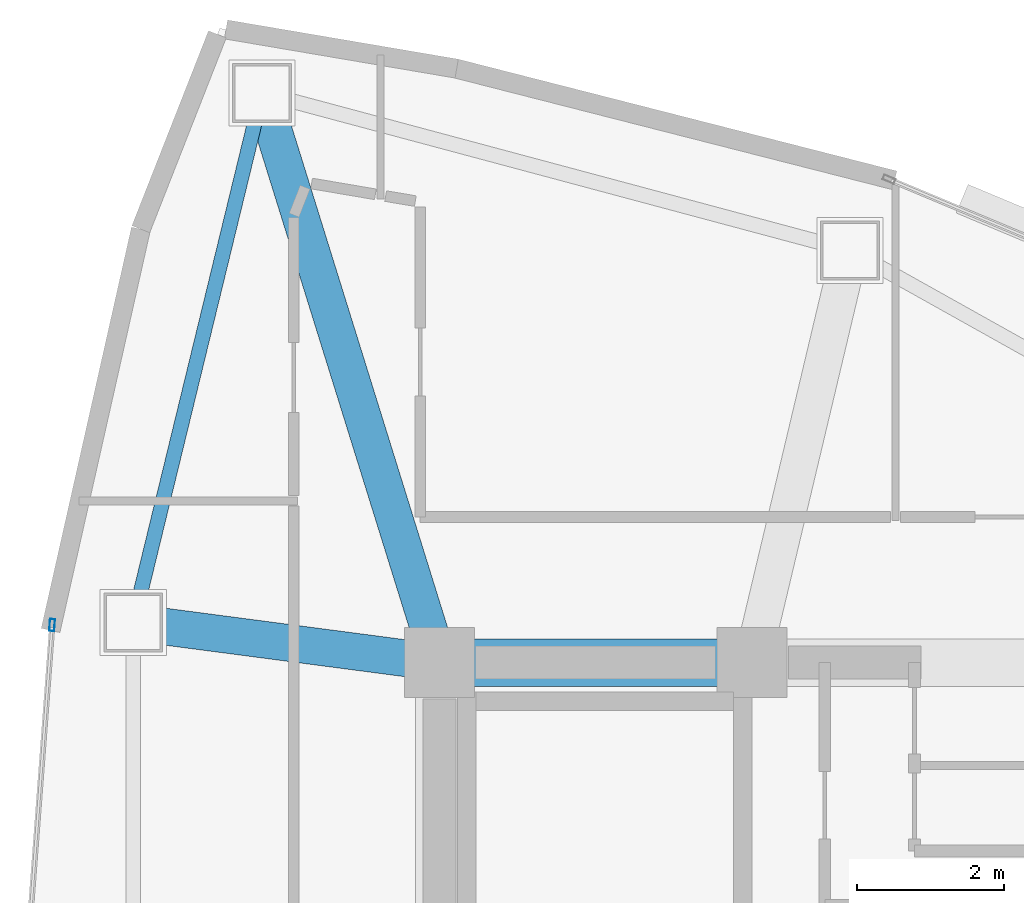
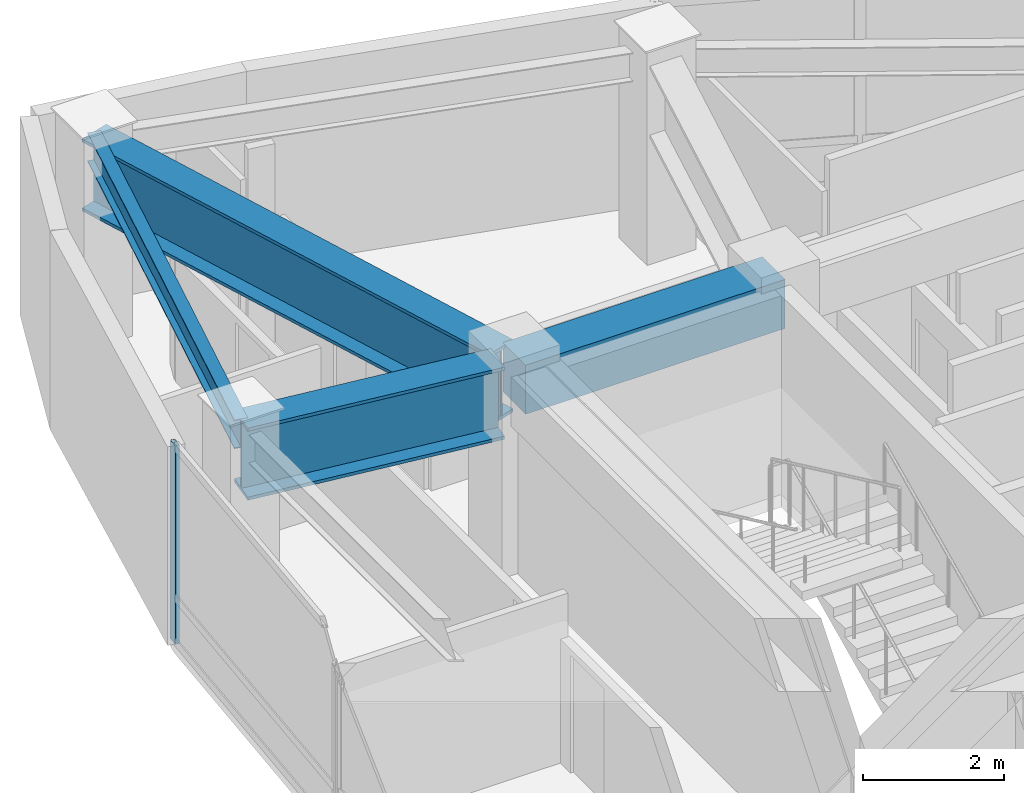
# One storey, part 7 of 15: 4 beams, 1 member, 1 element without a shape of its own.
"""IFC4 building model written with IfcOpenShell, lengths in metres."""

from ifc_helpers import new_model, si_unit, direction, frame, origin, origin_2d, place, context, subcontext, project, spatial, rectangle, hollow_rectangle, i_section, extrude, material, layer, layer_set, material_profile, profile_set, type_object, element, aggregate, save


model = new_model("IFC4")

# Units and contexts
model_context = context("Model", 3, precision=1e-05, world=origin(), true_north=direction((0.0, 1.0)))
body_context = subcontext(model_context, "Body", "Model", "MODEL_VIEW")
ifc_project = project(units=[si_unit("LENGTHUNIT", "METRE"), si_unit("AREAUNIT", "SQUARE_METRE"), si_unit("VOLUMEUNIT", "CUBIC_METRE"), si_unit("PLANEANGLEUNIT", "RADIAN"), si_unit("MASSUNIT", "GRAM", prefix="KILO")], contexts=[model_context])

# Site, building, storey
site_placement = place(None, origin())
site = spatial("IfcSite", under=ifc_project, at=site_placement, CompositionType="ELEMENT")
building_placement = place(site_placement, origin())
building = spatial("IfcBuilding", under=site, at=building_placement, Name="Menara Vayukalpa", CompositionType="ELEMENT")
storey_placement = place(building_placement, frame((0.0, 0.0, 295.5)))
storey = spatial("IfcBuildingStorey", under=building, at=storey_placement, Name="L75", CompositionType="ELEMENT", Elevation=295.5)

# Beams
ifc_material_1 = material(Name="Concrete C60/75", Category="concrete")
ifc_material_profile_1 = material_profile(ifc_material_1, rectangle(XDim=0.64990234375, YDim=0.85009765625, at=origin_2d()), Name="RC 650x850")
ifc_profile_set_1 = profile_set([ifc_material_profile_1], Name="Concrete C60/75")
beam_type_1 = type_object("IfcBeamType", Name="BM-CB1", PredefinedType="BEAM", material=ifc_profile_set_1)
beam_1_placement = place(storey_placement, frame((17.800048828125, 26.800048828125, 3.014892578125), z_axis=(1.0, 0.0, 0.0), x_axis=(0.0, 1.0, 0.0)))
element("IfcBeam", 1, at=beam_1_placement, inside=storey, type_object=beam_type_1, Name="L75 Core Tie Beam CBR4", PredefinedType="BEAM", context=body_context, shape_type="SweptSolid", body=[
    extrude(rectangle(XDim=0.64990234375, YDim=0.85009765625, at=origin_2d()), origin(), (0.0, 0.0, 1.0), 4.25),
])
ifc_material_2 = material(Name="Steel S355", Category="steel")
ifc_material_profile_2 = material_profile(ifc_material_2, i_section(OverallWidth=0.199951171875, OverallDepth=0.5, WebThickness=0.010009765625, FlangeThickness=0.01611328125, at=origin_2d()), Name="WF 500x200x10x16")
ifc_profile_set_2 = profile_set([ifc_material_profile_2], Name="Steel S355")
beam_type_2 = type_object("IfcBeamType", Name="BM-SP3", PredefinedType="SPANDREL", material=ifc_profile_set_2)
beam_2_placement = place(storey_placement, frame((15.38916015625, 34.544677734375, 3.18994140625), z_axis=(-0.236272525754, -0.97168682896, 0.0), x_axis=(0.97168682896, -0.236272525754, 0.0)))
element("IfcBeam", 2, at=beam_2_placement, inside=storey, type_object=beam_type_2, Name="L75 Perimeter Spandrel Beam SP04", PredefinedType="SPANDREL", context=body_context, shape_type="SweptSolid", body=[
    extrude(i_section(OverallWidth=0.199951171875, OverallDepth=0.5, WebThickness=0.010009765625, FlangeThickness=0.01611328125, at=origin_2d()), origin(), (0.0, 0.0, 1.0), 7.40771484375),
])
ifc_material_3 = material(Name="Steel S460", Category="steel")
ifc_material_profile_3 = material_profile(ifc_material_3, i_section(OverallWidth=0.5, OverallDepth=1.25, WebThickness=0.028076171875, FlangeThickness=0.054931640625, at=origin_2d()), Name="WG 1250x500x28x55")
ifc_profile_set_3 = profile_set([ifc_material_profile_3], Name="Steel S460")
beam_type_3 = type_object("IfcBeamType", Name="BM-TG2", PredefinedType="BEAM", material=ifc_profile_set_3)
beam_3_placement = place(storey_placement, frame((17.7255859375, 27.038818359375, 2.81494140625), z_axis=(-0.297213792842, 0.954810955815, 0.0), x_axis=(-0.954810955815, -0.297213792842, 0.0)))
element("IfcBeam", 3, at=beam_3_placement, inside=storey, type_object=beam_type_3, Name="L75 Primary Radial Girder RG04", PredefinedType="BEAM", context=body_context, shape_type="SweptSolid", body=[
    extrude(i_section(OverallWidth=0.5, OverallDepth=1.25, WebThickness=0.028076171875, FlangeThickness=0.054931640625, at=origin_2d()), origin(), (0.0, 0.0, 1.0), 7.861083984375),
])
beam_4_placement = place(storey_placement, frame((17.552001953125, 26.83251953125, 2.81494140625), z_axis=(-0.991477860763, 0.130275291662, 0.0), x_axis=(-0.130275291662, -0.991477860763, 0.0)))
element("IfcBeam", 4, at=beam_4_placement, inside=storey, type_object=beam_type_3, Name="L75 Primary Radial Girder RG05", PredefinedType="BEAM", context=body_context, shape_type="SweptSolid", body=[
    extrude(i_section(OverallWidth=0.5, OverallDepth=1.25, WebThickness=0.028076171875, FlangeThickness=0.054931640625, at=origin_2d()), origin(), (0.0, 0.0, 1.0), 3.94677734375),
])

# Curtain wall, member
ifc_material_4 = material(Name="Anodised Terracotta Aluminium Alloy 6063-T6", Category="masonry")
ifc_layer = layer(ifc_material_4, 0.1650390625)
ifc_layer_set = layer_set([ifc_layer], Name="Anodised Terracotta Aluminium Alloy 6063-T6")
curtain_wall_type = type_object("IfcCurtainWallType", Name="CW-CW6", PredefinedType="USERDEFINED", material=ifc_layer_set)
curtain_wall_placement = place(storey_placement, origin())
curtain_wall = element("IfcCurtainWall", 5, at=curtain_wall_placement, inside=storey, type_object=curtain_wall_type, Name="L75 Observation and Executive Curtain Wall CW6 10", ObjectType="UNITISED", PredefinedType="USERDEFINED")
ifc_material_5 = material(Name="Anodised Terracotta Aluminium Alloy 6063-T6", Category="masonry")
ifc_material_profile_4 = material_profile(ifc_material_5, hollow_rectangle(XDim=0.070068359375, YDim=0.1650390625, WallThickness=0.00390625, at=origin_2d()), Name="ALU 70x165x4")
ifc_profile_set_4 = profile_set([ifc_material_profile_4], Name="Anodised Terracotta Aluminium Alloy 6063-T6")
member_type = type_object("IfcMemberType", Name="CWM-CW6", PredefinedType="MULLION", material=ifc_profile_set_4)
member_placement = place(storey_placement, frame((12.536376953125, 27.311767578125, 0.0), z_axis=(0.0, 0.0, 1.0), x_axis=(0.997199344663, -0.074789484574, 0.0)))
member = element("IfcMember", 6, at=member_placement, type_object=member_type, Name="CW6 mullion 1", PredefinedType="MULLION", context=body_context, shape_type="SweptSolid", body=[
    extrude(hollow_rectangle(XDim=0.070068359375, YDim=0.1650390625, WallThickness=0.00390625, at=origin_2d()), origin(), (0.0, 0.0, 1.0), 3.43994140625),
])
aggregate(curtain_wall, [member])

save(model, "model.ifc")
